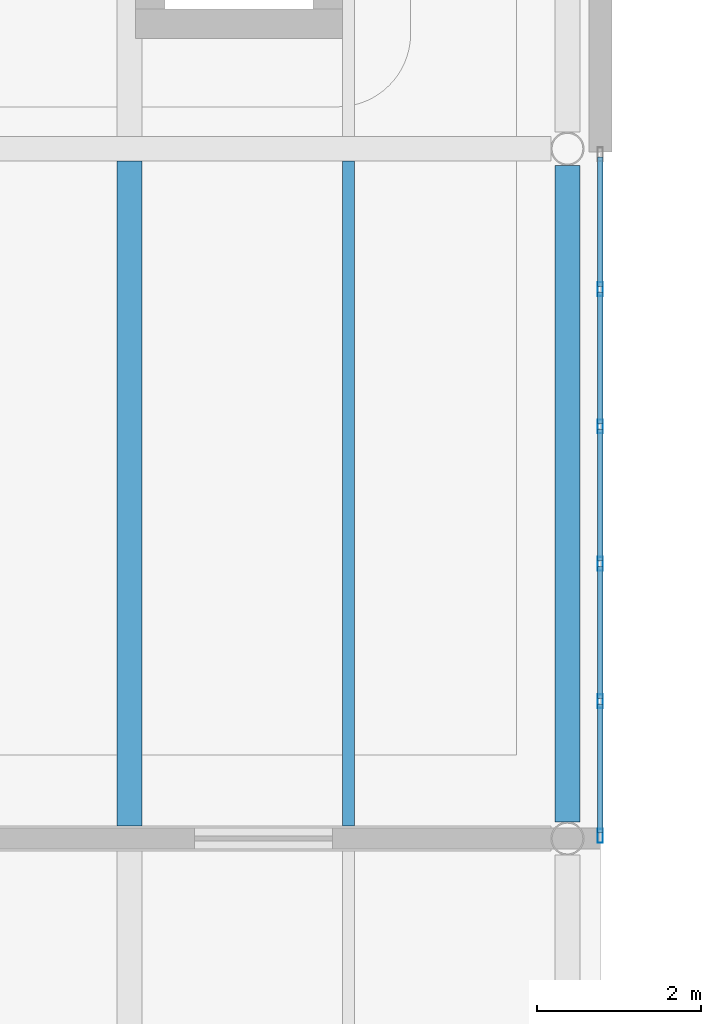
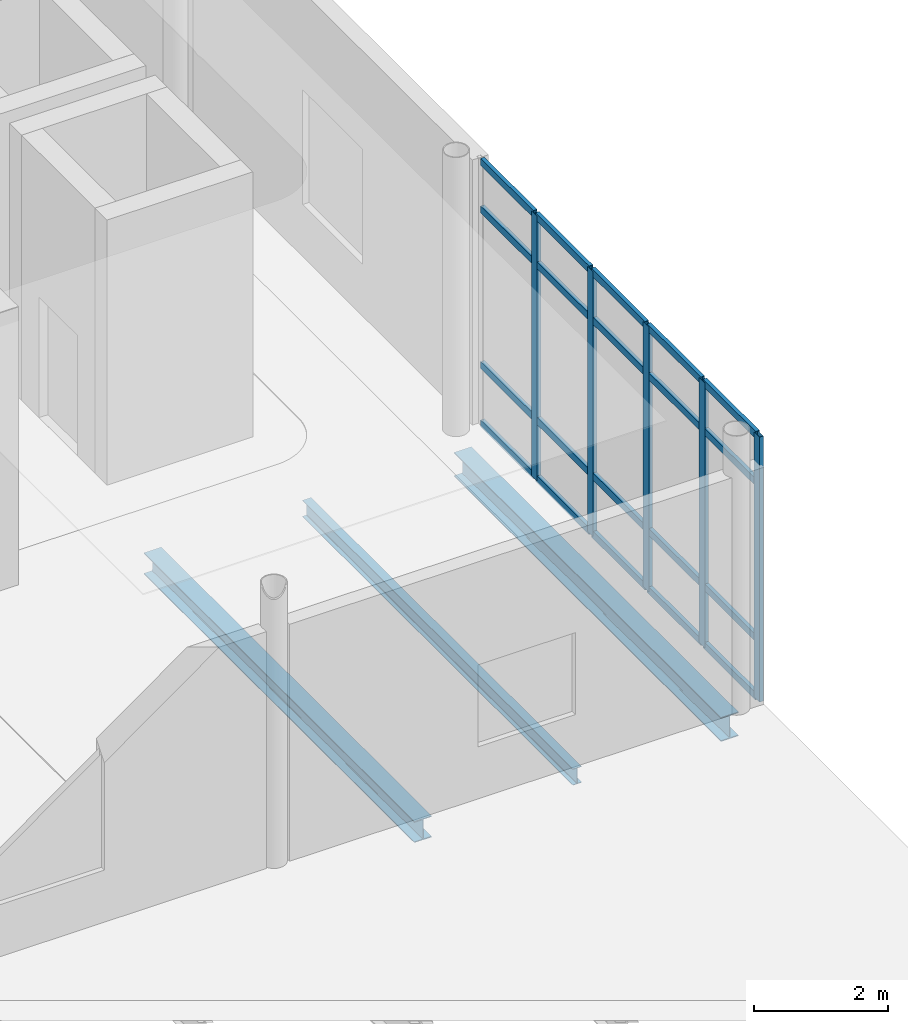
# One storey, part 39 of 103: 25 members, 3 beams, 1 element without a shape of its own.
"""IFC4 building model written with IfcOpenShell, lengths in metres."""

from ifc_helpers import new_model, si_unit, direction, frame, origin, origin_2d, place, context, subcontext, project, spatial, hollow_rectangle, i_section, extrude, material, layer, layer_set, material_profile, profile_set, type_object, element, aggregate, save


model = new_model("IFC4")

# Units and contexts
model_context = context("Model", 3, precision=1e-05, world=origin(), true_north=direction((0.0, 1.0)))
body_context = subcontext(model_context, "Body", "Model", "MODEL_VIEW")
ifc_project = project(units=[si_unit("LENGTHUNIT", "METRE"), si_unit("AREAUNIT", "SQUARE_METRE"), si_unit("VOLUMEUNIT", "CUBIC_METRE"), si_unit("PLANEANGLEUNIT", "RADIAN"), si_unit("MASSUNIT", "GRAM", prefix="KILO"), si_unit("THERMODYNAMICTEMPERATUREUNIT", "KELVIN")], contexts=[model_context])

# Site, building, storey
site_placement = place(None, origin())
site = spatial("IfcSite", under=ifc_project, at=site_placement, CompositionType="ELEMENT")
building_placement = place(site_placement, origin())
building = spatial("IfcBuilding", under=site, at=building_placement, Name="Lustrewick Department Store", CompositionType="ELEMENT")
storey_placement = place(building_placement, frame((0.0, 0.0, 16.5)))
storey = spatial("IfcBuildingStorey", under=building, at=storey_placement, Name="L04", CompositionType="ELEMENT", Elevation=16.5)

# Beams
ifc_material_1 = material(Name="Structural steel Q355B", Category="steel")
ifc_material_profile_1 = material_profile(ifc_material_1, i_section(OverallWidth=0.300048828125, OverallDepth=0.389892578125, WebThickness=0.010009765625, FlangeThickness=0.01611328125, FilletRadius=0.01806640625, at=origin_2d()), Name="HM 390x300x10x16")
ifc_profile_set_1 = profile_set([ifc_material_profile_1], Name="Structural steel Q355B")
beam_type_1 = type_object("IfcBeamType", Name="B07", PredefinedType="JOIST", material=ifc_profile_set_1)
beam_1_placement = place(storey_placement, frame((145.466796875, 16.949951171875, -0.449951171875), z_axis=(0.0, 1.0, 0.0), x_axis=(-1.0, 0.0, 0.0)))
element("IfcBeam", 1, at=beam_1_placement, inside=storey, type_object=beam_type_1, Name="L04 V3 Secondary Joist B07", PredefinedType="JOIST", context=body_context, shape_type="SweptSolid", body=[
    extrude(i_section(OverallWidth=0.300048828125, OverallDepth=0.389892578125, WebThickness=0.010009765625, FlangeThickness=0.01611328125, FilletRadius=0.01806640625, at=origin_2d()), origin(), (0.0, 0.0, 1.0), 8.10009765625),
])
ifc_material_profile_2 = material_profile(ifc_material_1, i_section(OverallWidth=0.14990234375, OverallDepth=0.300048828125, WebThickness=0.006591796875, FlangeThickness=0.009033203125, FilletRadius=0.011962890625, at=origin_2d()), Name="HN 300x150x6.5x9")
ifc_profile_set_2 = profile_set([ifc_material_profile_2], Name="Structural steel Q355B")
beam_type_2 = type_object("IfcBeamType", Name="B11", PredefinedType="JOIST", material=ifc_profile_set_2)
beam_2_placement = place(storey_placement, frame((148.13330078125, 16.949951171875, -0.405029296875), z_axis=(0.0, 1.0, 0.0), x_axis=(-1.0, 0.0, 0.0)))
element("IfcBeam", 2, at=beam_2_placement, inside=storey, type_object=beam_type_2, Name="L04 V3 Secondary Joist B11", PredefinedType="JOIST", context=body_context, shape_type="SweptSolid", body=[
    extrude(i_section(OverallWidth=0.14990234375, OverallDepth=0.300048828125, WebThickness=0.006591796875, FlangeThickness=0.009033203125, FilletRadius=0.011962890625, at=origin_2d()), origin(), (0.0, 0.0, 1.0), 8.10009765625),
])

# Curtain wall, members
ifc_material_2 = material(Name="Thermally broken aluminium 6063-T5", Category="aluminium")
ifc_layer = layer(ifc_material_2, 0.169921875, Name="Thermally broken aluminium 6063-T5")
ifc_layer_set = layer_set([ifc_layer], Name="Thermally broken aluminium 6063-T5")
curtain_wall_type = type_object("IfcCurtainWallType", Name="CW12", PredefinedType="NOTDEFINED", material=ifc_layer_set)
curtain_wall_placement = place(storey_placement, origin())
curtain_wall = element("IfcCurtainWall", 3, at=curtain_wall_placement, inside=storey, type_object=curtain_wall_type, Name="L04 V3 Curtain Wall CW12", PredefinedType="NOTDEFINED")
ifc_material_profile_3 = material_profile(ifc_material_2, hollow_rectangle(XDim=0.06494140625, YDim=0.169921875, WallThickness=0.00390625, at=origin_2d()), Name="ALU-M 65x170x4")
ifc_profile_set_3 = profile_set([ifc_material_profile_3], Name="Thermally broken aluminium 6063-T5")
member_type_1 = type_object("IfcMemberType", Name="CW12-M1", PredefinedType="MULLION", material=ifc_profile_set_3)
member_1_placement = place(storey_placement, frame((151.199951171875, 16.83251953125, 0.0), z_axis=(0.0, 0.0, 1.0), x_axis=(-1.0, 0.0, 0.0)))
member_1 = element("IfcMember", 4, at=member_1_placement, type_object=member_type_1, Name="CW12 mullion 1", PredefinedType="MULLION", context=body_context, shape_type="SweptSolid", body=[
    extrude(hollow_rectangle(XDim=0.06494140625, YDim=0.169921875, WallThickness=0.00390625, at=origin_2d()), origin(), (0.0, 0.0, 1.0), 4.844970703125),
])
member_2_placement = place(storey_placement, frame((151.199951171875, 18.472412109375, 0.0), z_axis=(0.0, 0.0, 1.0), x_axis=(-1.0, 0.0, 0.0)))
member_2 = element("IfcMember", 5, at=member_2_placement, type_object=member_type_1, Name="CW12 mullion 2", PredefinedType="MULLION", context=body_context, shape_type="SweptSolid", body=[
    extrude(hollow_rectangle(XDim=0.06494140625, YDim=0.169921875, WallThickness=0.00390625, at=origin_2d()), origin(), (0.0, 0.0, 1.0), 4.844970703125),
])
member_3_placement = place(storey_placement, frame((151.199951171875, 20.14501953125, 0.0), z_axis=(0.0, 0.0, 1.0), x_axis=(-1.0, 0.0, 0.0)))
member_3 = element("IfcMember", 6, at=member_3_placement, type_object=member_type_1, Name="CW12 mullion 3", PredefinedType="MULLION", context=body_context, shape_type="SweptSolid", body=[
    extrude(hollow_rectangle(XDim=0.06494140625, YDim=0.169921875, WallThickness=0.00390625, at=origin_2d()), origin(), (0.0, 0.0, 1.0), 4.844970703125),
])
member_4_placement = place(storey_placement, frame((151.199951171875, 21.8173828125, 0.0), z_axis=(0.0, 0.0, 1.0), x_axis=(-1.0, 0.0, 0.0)))
member_4 = element("IfcMember", 7, at=member_4_placement, type_object=member_type_1, Name="CW12 mullion 4", PredefinedType="MULLION", context=body_context, shape_type="SweptSolid", body=[
    extrude(hollow_rectangle(XDim=0.06494140625, YDim=0.169921875, WallThickness=0.00390625, at=origin_2d()), origin(), (0.0, 0.0, 1.0), 4.844970703125),
])
member_5_placement = place(storey_placement, frame((151.199951171875, 23.489990234375, 0.0), z_axis=(0.0, 0.0, 1.0), x_axis=(-1.0, 0.0, 0.0)))
member_5 = element("IfcMember", 8, at=member_5_placement, type_object=member_type_1, Name="CW12 mullion 5", PredefinedType="MULLION", context=body_context, shape_type="SweptSolid", body=[
    extrude(hollow_rectangle(XDim=0.06494140625, YDim=0.169921875, WallThickness=0.00390625, at=origin_2d()), origin(), (0.0, 0.0, 1.0), 4.844970703125),
])
ifc_material_profile_4 = material_profile(ifc_material_2, hollow_rectangle(XDim=0.06494140625, YDim=0.1298828125, WallThickness=0.00341796875, at=origin_2d()), Name="ALU-T 65x130x3.5")
ifc_profile_set_4 = profile_set([ifc_material_profile_4], Name="Thermally broken aluminium 6063-T5")
member_type_2 = type_object("IfcMemberType", Name="CW12-T1", PredefinedType="USERDEFINED", material=ifc_profile_set_4)
member_6_placement = place(storey_placement, frame((151.199951171875, 16.864990234375, 0.032470703125), z_axis=(0.0, 1.0, 0.0), x_axis=(-1.0, 0.0, 0.0)))
member_6 = element("IfcMember", 9, at=member_6_placement, type_object=member_type_2, Name="CW12 transom 1.1", ObjectType="TRANSOM", PredefinedType="USERDEFINED", context=body_context, shape_type="SweptSolid", body=[
    extrude(hollow_rectangle(XDim=0.06494140625, YDim=0.1298828125, WallThickness=0.00341796875, at=origin_2d()), origin(), (0.0, 0.0, 1.0), 1.574951171875),
])
member_7_placement = place(storey_placement, frame((151.199951171875, 16.864990234375, 1.10009765625), z_axis=(0.0, 1.0, 0.0), x_axis=(-1.0, 0.0, 0.0)))
member_7 = element("IfcMember", 10, at=member_7_placement, type_object=member_type_2, Name="CW12 transom 1.2", ObjectType="TRANSOM", PredefinedType="USERDEFINED", context=body_context, shape_type="SweptSolid", body=[
    extrude(hollow_rectangle(XDim=0.06494140625, YDim=0.1298828125, WallThickness=0.00341796875, at=origin_2d()), origin(), (0.0, 0.0, 1.0), 1.574951171875),
])
member_8_placement = place(storey_placement, frame((151.199951171875, 16.864990234375, 3.945068359375), z_axis=(0.0, 1.0, 0.0), x_axis=(-1.0, 0.0, 0.0)))
member_8 = element("IfcMember", 11, at=member_8_placement, type_object=member_type_2, Name="CW12 transom 1.3", ObjectType="TRANSOM", PredefinedType="USERDEFINED", context=body_context, shape_type="SweptSolid", body=[
    extrude(hollow_rectangle(XDim=0.06494140625, YDim=0.1298828125, WallThickness=0.00341796875, at=origin_2d()), origin(), (0.0, 0.0, 1.0), 1.574951171875),
])
member_9_placement = place(storey_placement, frame((151.199951171875, 16.864990234375, 4.8125), z_axis=(0.0, 1.0, 0.0), x_axis=(-1.0, 0.0, 0.0)))
member_9 = element("IfcMember", 12, at=member_9_placement, type_object=member_type_2, Name="CW12 transom 1.4", ObjectType="TRANSOM", PredefinedType="USERDEFINED", context=body_context, shape_type="SweptSolid", body=[
    extrude(hollow_rectangle(XDim=0.06494140625, YDim=0.1298828125, WallThickness=0.00341796875, at=origin_2d()), origin(), (0.0, 0.0, 1.0), 1.574951171875),
])
member_10_placement = place(storey_placement, frame((151.199951171875, 18.5048828125, 0.032470703125), z_axis=(0.0, 1.0, 0.0), x_axis=(-1.0, 0.0, 0.0)))
member_10 = element("IfcMember", 13, at=member_10_placement, type_object=member_type_2, Name="CW12 transom 2.1", ObjectType="TRANSOM", PredefinedType="USERDEFINED", context=body_context, shape_type="SweptSolid", body=[
    extrude(hollow_rectangle(XDim=0.06494140625, YDim=0.1298828125, WallThickness=0.00341796875, at=origin_2d()), origin(), (0.0, 0.0, 1.0), 1.607666015625),
])
member_11_placement = place(storey_placement, frame((151.199951171875, 18.5048828125, 1.10009765625), z_axis=(0.0, 1.0, 0.0), x_axis=(-1.0, 0.0, 0.0)))
member_11 = element("IfcMember", 14, at=member_11_placement, type_object=member_type_2, Name="CW12 transom 2.2", ObjectType="TRANSOM", PredefinedType="USERDEFINED", context=body_context, shape_type="SweptSolid", body=[
    extrude(hollow_rectangle(XDim=0.06494140625, YDim=0.1298828125, WallThickness=0.00341796875, at=origin_2d()), origin(), (0.0, 0.0, 1.0), 1.607666015625),
])
member_12_placement = place(storey_placement, frame((151.199951171875, 18.5048828125, 3.945068359375), z_axis=(0.0, 1.0, 0.0), x_axis=(-1.0, 0.0, 0.0)))
member_12 = element("IfcMember", 15, at=member_12_placement, type_object=member_type_2, Name="CW12 transom 2.3", ObjectType="TRANSOM", PredefinedType="USERDEFINED", context=body_context, shape_type="SweptSolid", body=[
    extrude(hollow_rectangle(XDim=0.06494140625, YDim=0.1298828125, WallThickness=0.00341796875, at=origin_2d()), origin(), (0.0, 0.0, 1.0), 1.607666015625),
])
member_13_placement = place(storey_placement, frame((151.199951171875, 18.5048828125, 4.8125), z_axis=(0.0, 1.0, 0.0), x_axis=(-1.0, 0.0, 0.0)))
member_13 = element("IfcMember", 16, at=member_13_placement, type_object=member_type_2, Name="CW12 transom 2.4", ObjectType="TRANSOM", PredefinedType="USERDEFINED", context=body_context, shape_type="SweptSolid", body=[
    extrude(hollow_rectangle(XDim=0.06494140625, YDim=0.1298828125, WallThickness=0.00341796875, at=origin_2d()), origin(), (0.0, 0.0, 1.0), 1.607666015625),
])
member_14_placement = place(storey_placement, frame((151.199951171875, 20.177490234375, 0.032470703125), z_axis=(0.0, 1.0, 0.0), x_axis=(-1.0, 0.0, 0.0)))
member_14 = element("IfcMember", 17, at=member_14_placement, type_object=member_type_2, Name="CW12 transom 3.1", ObjectType="TRANSOM", PredefinedType="USERDEFINED", context=body_context, shape_type="SweptSolid", body=[
    extrude(hollow_rectangle(XDim=0.06494140625, YDim=0.1298828125, WallThickness=0.00341796875, at=origin_2d()), origin(), (0.0, 0.0, 1.0), 1.607421875),
])
member_15_placement = place(storey_placement, frame((151.199951171875, 20.177490234375, 1.10009765625), z_axis=(0.0, 1.0, 0.0), x_axis=(-1.0, 0.0, 0.0)))
member_15 = element("IfcMember", 18, at=member_15_placement, type_object=member_type_2, Name="CW12 transom 3.2", ObjectType="TRANSOM", PredefinedType="USERDEFINED", context=body_context, shape_type="SweptSolid", body=[
    extrude(hollow_rectangle(XDim=0.06494140625, YDim=0.1298828125, WallThickness=0.00341796875, at=origin_2d()), origin(), (0.0, 0.0, 1.0), 1.607421875),
])
member_16_placement = place(storey_placement, frame((151.199951171875, 20.177490234375, 3.945068359375), z_axis=(0.0, 1.0, 0.0), x_axis=(-1.0, 0.0, 0.0)))
member_16 = element("IfcMember", 19, at=member_16_placement, type_object=member_type_2, Name="CW12 transom 3.3", ObjectType="TRANSOM", PredefinedType="USERDEFINED", context=body_context, shape_type="SweptSolid", body=[
    extrude(hollow_rectangle(XDim=0.06494140625, YDim=0.1298828125, WallThickness=0.00341796875, at=origin_2d()), origin(), (0.0, 0.0, 1.0), 1.607421875),
])
member_17_placement = place(storey_placement, frame((151.199951171875, 20.177490234375, 4.8125), z_axis=(0.0, 1.0, 0.0), x_axis=(-1.0, 0.0, 0.0)))
member_17 = element("IfcMember", 20, at=member_17_placement, type_object=member_type_2, Name="CW12 transom 3.4", ObjectType="TRANSOM", PredefinedType="USERDEFINED", context=body_context, shape_type="SweptSolid", body=[
    extrude(hollow_rectangle(XDim=0.06494140625, YDim=0.1298828125, WallThickness=0.00341796875, at=origin_2d()), origin(), (0.0, 0.0, 1.0), 1.607421875),
])
member_18_placement = place(storey_placement, frame((151.199951171875, 21.85009765625, 0.032470703125), z_axis=(0.0, 1.0, 0.0), x_axis=(-1.0, 0.0, 0.0)))
member_18 = element("IfcMember", 21, at=member_18_placement, type_object=member_type_2, Name="CW12 transom 4.1", ObjectType="TRANSOM", PredefinedType="USERDEFINED", context=body_context, shape_type="SweptSolid", body=[
    extrude(hollow_rectangle(XDim=0.06494140625, YDim=0.1298828125, WallThickness=0.00341796875, at=origin_2d()), origin(), (0.0, 0.0, 1.0), 1.607421875),
])
member_19_placement = place(storey_placement, frame((151.199951171875, 21.85009765625, 1.10009765625), z_axis=(0.0, 1.0, 0.0), x_axis=(-1.0, 0.0, 0.0)))
member_19 = element("IfcMember", 22, at=member_19_placement, type_object=member_type_2, Name="CW12 transom 4.2", ObjectType="TRANSOM", PredefinedType="USERDEFINED", context=body_context, shape_type="SweptSolid", body=[
    extrude(hollow_rectangle(XDim=0.06494140625, YDim=0.1298828125, WallThickness=0.00341796875, at=origin_2d()), origin(), (0.0, 0.0, 1.0), 1.607421875),
])
member_20_placement = place(storey_placement, frame((151.199951171875, 21.85009765625, 3.945068359375), z_axis=(0.0, 1.0, 0.0), x_axis=(-1.0, 0.0, 0.0)))
member_20 = element("IfcMember", 23, at=member_20_placement, type_object=member_type_2, Name="CW12 transom 4.3", ObjectType="TRANSOM", PredefinedType="USERDEFINED", context=body_context, shape_type="SweptSolid", body=[
    extrude(hollow_rectangle(XDim=0.06494140625, YDim=0.1298828125, WallThickness=0.00341796875, at=origin_2d()), origin(), (0.0, 0.0, 1.0), 1.607421875),
])
member_21_placement = place(storey_placement, frame((151.199951171875, 21.85009765625, 4.8125), z_axis=(0.0, 1.0, 0.0), x_axis=(-1.0, 0.0, 0.0)))
member_21 = element("IfcMember", 24, at=member_21_placement, type_object=member_type_2, Name="CW12 transom 4.4", ObjectType="TRANSOM", PredefinedType="USERDEFINED", context=body_context, shape_type="SweptSolid", body=[
    extrude(hollow_rectangle(XDim=0.06494140625, YDim=0.1298828125, WallThickness=0.00341796875, at=origin_2d()), origin(), (0.0, 0.0, 1.0), 1.607421875),
])
member_22_placement = place(storey_placement, frame((151.199951171875, 23.5224609375, 0.032470703125), z_axis=(0.0, 1.0, 0.0), x_axis=(-1.0, 0.0, 0.0)))
member_22 = element("IfcMember", 25, at=member_22_placement, type_object=member_type_2, Name="CW12 transom 5.1", ObjectType="TRANSOM", PredefinedType="USERDEFINED", context=body_context, shape_type="SweptSolid", body=[
    extrude(hollow_rectangle(XDim=0.06494140625, YDim=0.1298828125, WallThickness=0.00341796875, at=origin_2d()), origin(), (0.0, 0.0, 1.0), 1.574951171875),
])
member_23_placement = place(storey_placement, frame((151.199951171875, 23.5224609375, 1.10009765625), z_axis=(0.0, 1.0, 0.0), x_axis=(-1.0, 0.0, 0.0)))
member_23 = element("IfcMember", 26, at=member_23_placement, type_object=member_type_2, Name="CW12 transom 5.2", ObjectType="TRANSOM", PredefinedType="USERDEFINED", context=body_context, shape_type="SweptSolid", body=[
    extrude(hollow_rectangle(XDim=0.06494140625, YDim=0.1298828125, WallThickness=0.00341796875, at=origin_2d()), origin(), (0.0, 0.0, 1.0), 1.574951171875),
])
member_24_placement = place(storey_placement, frame((151.199951171875, 23.5224609375, 3.945068359375), z_axis=(0.0, 1.0, 0.0), x_axis=(-1.0, 0.0, 0.0)))
member_24 = element("IfcMember", 27, at=member_24_placement, type_object=member_type_2, Name="CW12 transom 5.3", ObjectType="TRANSOM", PredefinedType="USERDEFINED", context=body_context, shape_type="SweptSolid", body=[
    extrude(hollow_rectangle(XDim=0.06494140625, YDim=0.1298828125, WallThickness=0.00341796875, at=origin_2d()), origin(), (0.0, 0.0, 1.0), 1.574951171875),
])
member_25_placement = place(storey_placement, frame((151.199951171875, 23.5224609375, 4.8125), z_axis=(0.0, 1.0, 0.0), x_axis=(-1.0, 0.0, 0.0)))
member_25 = element("IfcMember", 28, at=member_25_placement, type_object=member_type_2, Name="CW12 transom 5.4", ObjectType="TRANSOM", PredefinedType="USERDEFINED", context=body_context, shape_type="SweptSolid", body=[
    extrude(hollow_rectangle(XDim=0.06494140625, YDim=0.1298828125, WallThickness=0.00341796875, at=origin_2d()), origin(), (0.0, 0.0, 1.0), 1.574951171875),
])
aggregate(curtain_wall, [member_1, member_2, member_3, member_4, member_5, member_6, member_7, member_8, member_9, member_10, member_11, member_12, member_13, member_14, member_15, member_16, member_17, member_18, member_19, member_20, member_21, member_22, member_23, member_24, member_25])

# Beam
ifc_material_profile_5 = material_profile(ifc_material_1, i_section(OverallWidth=0.300048828125, OverallDepth=0.43994140625, WebThickness=0.010986328125, FlangeThickness=0.01806640625, FilletRadius=0.02001953125, at=origin_2d()), Name="HM 440x300x11x18")
ifc_profile_set_5 = profile_set([ifc_material_profile_5], Name="Structural steel Q355B")
beam_type_3 = type_object("IfcBeamType", Name="SP02", PredefinedType="SPANDREL", material=ifc_profile_set_5)
beam_3_placement = place(storey_placement, frame((150.800048828125, 17.0029296875, -0.47509765625), z_axis=(0.0, 1.0, 0.0), x_axis=(-1.0, 0.0, 0.0)))
element("IfcBeam", 29, at=beam_3_placement, inside=storey, type_object=beam_type_3, Name="L04 V3 Girder SP02", PredefinedType="SPANDREL", context=body_context, shape_type="SweptSolid", body=[
    extrude(i_section(OverallWidth=0.300048828125, OverallDepth=0.43994140625, WebThickness=0.010986328125, FlangeThickness=0.01806640625, FilletRadius=0.02001953125, at=origin_2d()), origin(), (0.0, 0.0, 1.0), 7.994140625),
])

save(model, "model.ifc")
